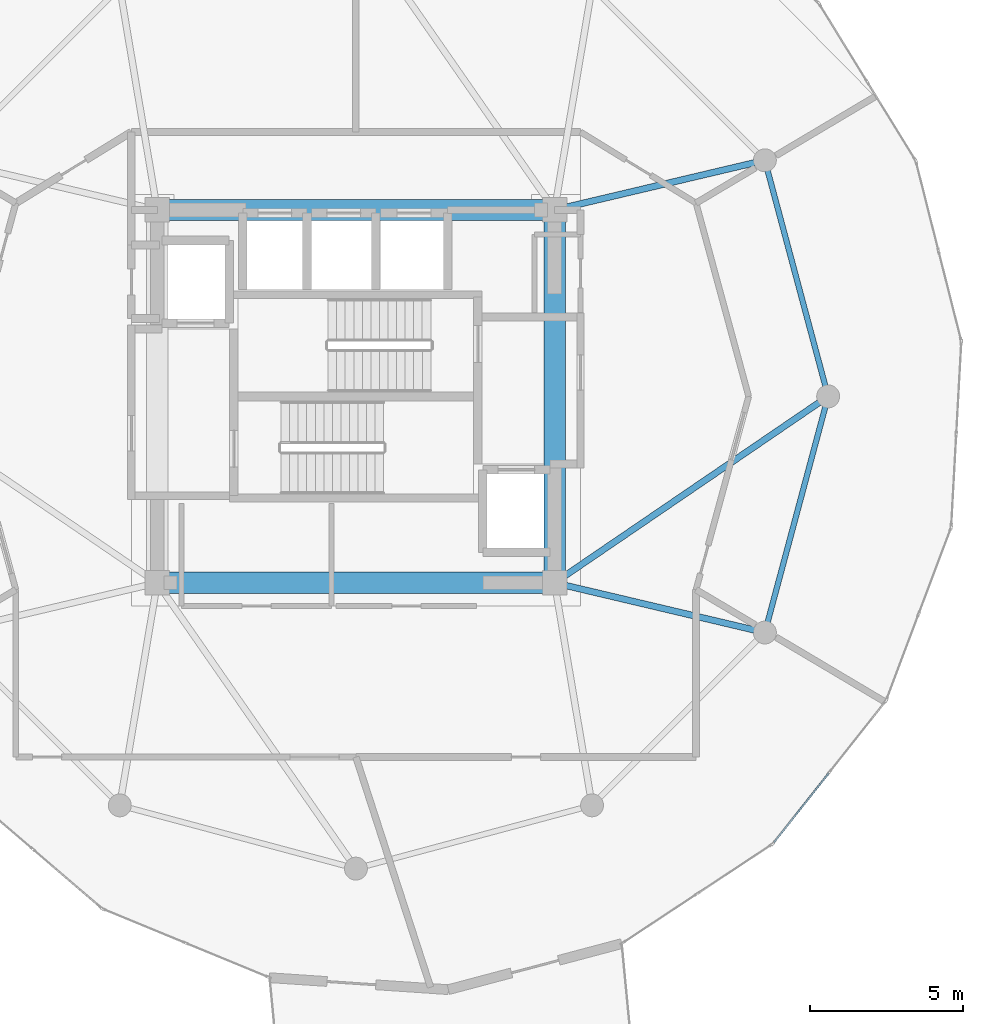
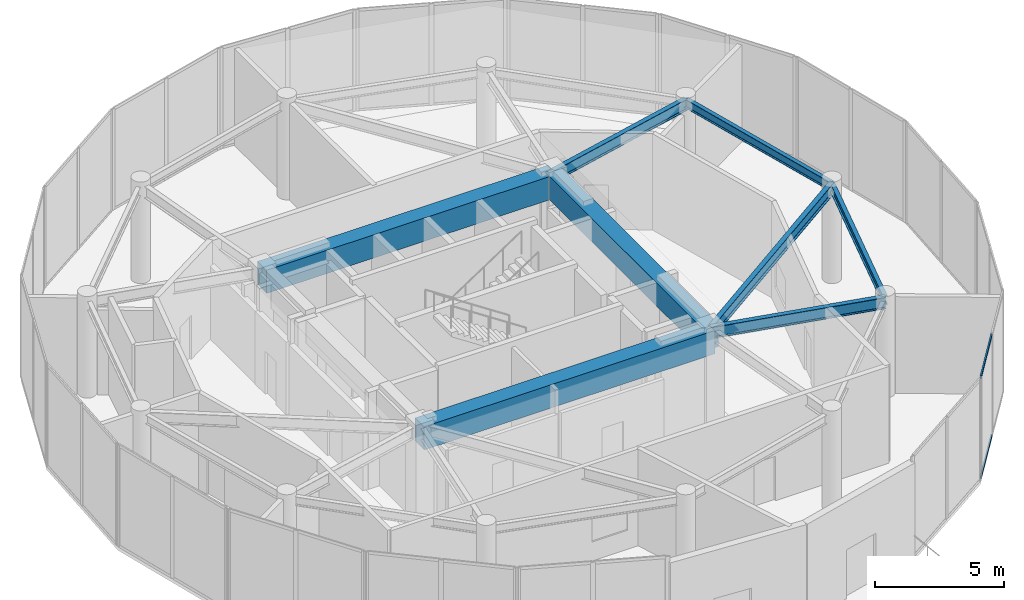
# One storey, part 8 of 21: 8 beams, 2 members, 1 element without a shape of its own.
"""IFC4 building model written with IfcOpenShell, lengths in metres."""

import ifcopenshell
import ifcopenshell.guid

model = None  # the IFC model being written
_history = None  # IfcOwnerHistory: only IFC2X3 demands one
_inside = {}  # id of a spatial element -> (the spatial element, [elements in it])
_under = {}  # id of a project, library or spatial element -> (it, [spatial elements below it])
_declared = {}  # id of a project -> (the project, [libraries it declares])
_typed = {}  # id of a type object -> (the type object, [elements of that type])
_made_of = {}  # id of a material, layer set ... -> (it, [elements and type objects made of it])


def new_model(schema):
    """Start an empty IFC model of exactly this schema.

    Asked for "IFC4X3", IfcOpenShell would pick the latest addendum, in which some entities
    have other attributes; the version numbers below select the first issue.
    IFC2X3 requires an IfcOwnerHistory on every rooted entity: one is made here for all.
    """
    global model, _history
    if schema == "IFC4X3":
        model = ifcopenshell.file(schema_version=(4, 3, 0, 0))
    else:
        model = ifcopenshell.file(schema=schema)
    _inside.clear()
    _under.clear()
    _declared.clear()
    _typed.clear()
    _made_of.clear()
    _history = None
    if model.schema == "IFC2X3":
        org = make("IfcOrganization", Name="unknown")
        user = make(
            "IfcPersonAndOrganization",
            ThePerson=make("IfcPerson", FamilyName="unknown"),
            TheOrganization=org,
        )
        app = make(
            "IfcApplication",
            ApplicationDeveloper=org,
            Version="unknown",
            ApplicationFullName="unknown",
            ApplicationIdentifier="unknown",
        )
        _history = make(
            "IfcOwnerHistory",
            OwningUser=user,
            OwningApplication=app,
            ChangeAction="ADDED",
            CreationDate=0,
        )
    return model


def make(cls, **values):
    """One entity of the class cls with the attributes given. An attribute that is None is left unset."""
    return model.create_entity(
        cls, **{name: value for name, value in values.items() if value is not None}
    )


def rooted(cls, **values):
    """An entity with a GlobalId (a new one), such as an element, a storey or a relation."""
    return make(cls, GlobalId=ifcopenshell.guid.new(), OwnerHistory=_history, **values)


def si_unit(unit_type, name, prefix=None):
    """IfcSIUnit, for example si_unit("LENGTHUNIT", "METRE", prefix="MILLI")."""
    return make("IfcSIUnit", UnitType=unit_type, Prefix=prefix, Name=name)


def assignment(units):
    """IfcUnitAssignment: the units of a project."""
    return None if units is None else make("IfcUnitAssignment", Units=units)


def point(xyz):
    """IfcCartesianPoint."""
    return None if xyz is None else make("IfcCartesianPoint", Coordinates=xyz)


def direction(xyz):
    """IfcDirection."""
    return None if xyz is None else make("IfcDirection", DirectionRatios=xyz)


def frame(location, z_axis=None, x_axis=None):
    """IfcAxis2Placement3D, a coordinate frame: its origin and axes. An axis left out is left unset."""
    return make(
        "IfcAxis2Placement3D",
        Location=point(location),
        Axis=direction(z_axis),
        RefDirection=direction(x_axis),
    )


def frame_2d(location, x_axis=None):
    """IfcAxis2Placement2D, a coordinate frame in the plane: its origin and x axis."""
    return make(
        "IfcAxis2Placement2D", Location=point(location), RefDirection=direction(x_axis)
    )


def origin():
    """The frame at (0, 0, 0) with its axes left unset."""
    return frame((0.0, 0.0, 0.0))


def origin_2d():
    """The frame at (0, 0) in the plane with its x axis left unset."""
    return frame_2d((0.0, 0.0))


def place(relative_to, where):
    """IfcLocalPlacement: puts the frame where relative to a parent placement (None: the world)."""
    return make(
        "IfcLocalPlacement", PlacementRelTo=relative_to, RelativePlacement=where
    )


def context(
    kind, dimensions, precision=None, world=None, true_north=None, identifier=None
):
    """IfcGeometricRepresentationContext, for example the 3D "Model" context."""
    return make(
        "IfcGeometricRepresentationContext",
        ContextIdentifier=identifier,
        ContextType=kind,
        CoordinateSpaceDimension=dimensions,
        Precision=precision,
        WorldCoordinateSystem=world,
        TrueNorth=true_north,
    )


def subcontext(parent, identifier, kind, view, scale=None):
    """IfcGeometricRepresentationSubContext, for example "Body" below "Model"."""
    return make(
        "IfcGeometricRepresentationSubContext",
        ContextIdentifier=identifier,
        ContextType=kind,
        ParentContext=parent,
        TargetScale=scale,
        TargetView=view,
    )


def project(units=None, contexts=None):
    """IfcProject with its units and contexts."""
    return rooted(
        "IfcProject",
        Name="project",
        RepresentationContexts=contexts,
        UnitsInContext=assignment(units),
    )


def spatial(cls, under=None, at=None, **own):
    """A site, building, storey or space (cls), placed at a placement, below another one or the project."""
    s = rooted(cls, ObjectPlacement=at, **own)
    if under is not None:
        _under.setdefault(under.id(), (under, []))[1].append(s)
    return s


def profile(cls, at=None, kind="AREA", **sizes):
    """A parametric profile (cls). Its sizes go by their IFC names, for example OverallWidth=200.0."""
    return make(cls, ProfileType=kind, Position=at, **sizes)


def rectangle(**sizes):
    """IfcRectangleProfileDef."""
    return profile("IfcRectangleProfileDef", **sizes)


def hollow_rectangle(**sizes):
    """IfcRectangleHollowProfileDef."""
    return profile("IfcRectangleHollowProfileDef", **sizes)


def i_section(**sizes):
    """IfcIShapeProfileDef."""
    return profile("IfcIShapeProfileDef", **sizes)


def extrude(swept, where, along, depth):
    """IfcExtrudedAreaSolid: the profile swept, set in the frame where, extruded along a direction by depth."""
    return make(
        "IfcExtrudedAreaSolid",
        SweptArea=swept,
        Position=where,
        ExtrudedDirection=direction(along),
        Depth=depth,
    )


def shape(context_of_items, identifier, shape_type, items):
    """IfcShapeRepresentation: the items that make up one representation, for example the "Body"."""
    return make(
        "IfcShapeRepresentation",
        ContextOfItems=context_of_items,
        RepresentationIdentifier=identifier,
        RepresentationType=shape_type,
        Items=items,
    )


def source(mapping_origin, context_of_items, identifier, shape_type, items):
    """IfcRepresentationMap: a shape defined once, which mapped items show again and again."""
    return make(
        "IfcRepresentationMap",
        MappingOrigin=mapping_origin,
        MappedRepresentation=shape(context_of_items, identifier, shape_type, items),
    )


def transform(
    local_origin,
    x_axis=None,
    y_axis=None,
    z_axis=None,
    scale=None,
    scale2=None,
    scale3=None,
    uniform=True,
):
    """IfcCartesianTransformationOperator3D, or its non-uniform kind. x_axis, y_axis, z_axis: its Axis1, 2, 3."""
    if uniform:
        return make(
            "IfcCartesianTransformationOperator3D",
            Axis1=direction(x_axis),
            Axis2=direction(y_axis),
            LocalOrigin=point(local_origin),
            Scale=scale,
            Axis3=direction(z_axis),
        )
    return make(
        "IfcCartesianTransformationOperator3DnonUniform",
        Axis1=direction(x_axis),
        Axis2=direction(y_axis),
        LocalOrigin=point(local_origin),
        Scale=scale,
        Axis3=direction(z_axis),
        Scale2=scale2,
        Scale3=scale3,
    )


def mapped(mapping_source, mapping_target):
    """IfcMappedItem: shows the shape of a source again, moved by a transform."""
    return make(
        "IfcMappedItem", MappingSource=mapping_source, MappingTarget=mapping_target
    )


def material(Name=None, Category=None):
    """IfcMaterial."""
    return make("IfcMaterial", Name=Name, Category=Category)


def layer(
    of_material, thickness, ventilated=None, Name=None, Category=None, Priority=None
):
    """IfcMaterialLayer: one layer of a wall or slab, of a material (None: an air gap)."""
    return make(
        "IfcMaterialLayer",
        Material=of_material,
        LayerThickness=thickness,
        IsVentilated=ventilated,
        Name=Name,
        Category=Category,
        Priority=Priority,
    )


def layer_set(layers, Name=None):
    """IfcMaterialLayerSet."""
    return make("IfcMaterialLayerSet", MaterialLayers=layers, LayerSetName=Name)


def material_profile(
    of_material, cross_section, Name=None, Category=None, Priority=None
):
    """IfcMaterialProfile: a cross section and its material."""
    return make(
        "IfcMaterialProfile",
        Name=Name,
        Material=of_material,
        Profile=cross_section,
        Priority=Priority,
        Category=Category,
    )


def profile_set(profiles, Name=None, composite=None):
    """IfcMaterialProfileSet."""
    return make(
        "IfcMaterialProfileSet",
        Name=Name,
        MaterialProfiles=profiles,
        CompositeProfile=composite,
    )


def made_of(thing, what):
    """Note that an element or type object is made of a material, layer set ...; save() writes the relation."""
    if what is not None:
        _made_of.setdefault(what.id(), (what, []))[1].append(thing)
    return thing


def type_object(cls, material=None, **own):
    """A type object (cls), such as IfcWallType, which elements share."""
    return made_of(rooted(cls, **own), material)


def element(
    cls,
    number,
    at=None,
    inside=None,
    cuts=None,
    type_object=None,
    material=None,
    context=None,
    identifier="Body",
    shape_type=None,
    held_by="IfcProductDefinitionShape",
    body=None,
    shapes=None,
    **own,
):
    """One element of the class cls, such as IfcWall. Its Tag is "e" and its number.

    at: its placement. inside: the storey or other place that contains it. cuts: it is an
    opening in that element (IfcRelVoidsElement). A single representation is given by context,
    identifier, shape_type and body (its items); several are given by shapes. held_by: the class
    of the entity that holds the representations. save() writes the other relations.
    """
    e = rooted(cls, Tag="e%d" % number, ObjectPlacement=at, **own)
    if body is not None:
        shapes = [shape(context, identifier, shape_type, body)]
    if shapes is not None:
        e.Representation = make(held_by, Representations=shapes)
    if inside is not None:
        _inside.setdefault(inside.id(), (inside, []))[1].append(e)
    if cuts is not None:
        rooted(
            "IfcRelVoidsElement", RelatingBuildingElement=cuts, RelatedOpeningElement=e
        )
    if type_object is not None:
        _typed.setdefault(type_object.id(), (type_object, []))[1].append(e)
    return made_of(e, material)


def aggregate(whole, parts):
    """IfcRelAggregates: a whole, such as a stair, and the parts it consists of."""
    return rooted("IfcRelAggregates", RelatingObject=whole, RelatedObjects=parts)


def save(model, path):
    """Write the relations noted so far, then the file.

    IfcRelAggregates (storeys below a building ...), IfcRelContainedInSpatialStructure (elements
    in a storey), IfcRelDefinesByType, IfcRelAssociatesMaterial and IfcRelDeclares: one each for
    every whole, place, type object, material and project.
    """
    for whole, parts in _under.values():
        aggregate(whole, parts)
    for where, things in _inside.values():
        rooted(
            "IfcRelContainedInSpatialStructure",
            RelatedElements=things,
            RelatingStructure=where,
        )
    for kind, things in _typed.values():
        rooted("IfcRelDefinesByType", RelatedObjects=things, RelatingType=kind)
    for what, things in _made_of.values():
        rooted("IfcRelAssociatesMaterial", RelatedObjects=things, RelatingMaterial=what)
    for by, libraries in _declared.values():
        rooted("IfcRelDeclares", RelatingContext=by, RelatedDefinitions=libraries)
    model.write(path)


model = new_model("IFC4")

# Units and contexts
model_context = context("Model", 3, precision=1e-05, world=origin(), true_north=direction((0.0, 1.0)))
body_context = subcontext(model_context, "Body", "Model", "MODEL_VIEW")
ifc_project = project(units=[si_unit("LENGTHUNIT", "METRE"), si_unit("AREAUNIT", "SQUARE_METRE"), si_unit("VOLUMEUNIT", "CUBIC_METRE"), si_unit("PLANEANGLEUNIT", "RADIAN"), si_unit("MASSUNIT", "GRAM", prefix="KILO")], contexts=[model_context])

# Site, building, storey
site_placement = place(None, origin())
site = spatial("IfcSite", under=ifc_project, at=site_placement, CompositionType="ELEMENT")
building_placement = place(site_placement, origin())
building = spatial("IfcBuilding", under=site, at=building_placement, Name="Solvirekh Grand Hotel", CompositionType="ELEMENT")
storey_placement = place(building_placement, frame((0.0, 0.0, 262.0)))
storey = spatial("IfcBuildingStorey", under=building, at=storey_placement, Name="L68", CompositionType="ELEMENT", Elevation=262.0)

# Beams
ifc_material_1 = material(Name="Concrete C60/75", Category="concrete")
ifc_material_profile_1 = material_profile(ifc_material_1, rectangle(XDim=0.699951171875, YDim=1.10009765625, at=origin_2d()), Name="RC BEAM 700X1100")
ifc_profile_set_1 = profile_set([ifc_material_profile_1], Name="Concrete C60/75")
beam_type_1 = type_object("IfcBeamType", Name="Beam_Core_RC1100", PredefinedType="BEAM", material=ifc_profile_set_1)
beam_1_placement = place(storey_placement, frame((-6.5, -6.10009765625, 4.02001953125), z_axis=(1.0, 0.0, 0.0), x_axis=(0.0, 1.0, 0.0)))
element("IfcBeam", 1, at=beam_1_placement, inside=storey, type_object=beam_type_1, Name="L68 core coupling ring beam 1", PredefinedType="BEAM", context=body_context, shape_type="SweptSolid", body=[
    extrude(rectangle(XDim=0.699951171875, YDim=1.10009765625, at=origin_2d()), origin(), (0.0, 0.0, 1.0), 13.0),
])
beam_2_placement = place(storey_placement, frame((6.5, -6.10009765625, 4.02001953125), z_axis=(0.0, 1.0, 0.0), x_axis=(-1.0, 0.0, 0.0)))
element("IfcBeam", 2, at=beam_2_placement, inside=storey, type_object=beam_type_1, Name="L68 core coupling ring beam 2", PredefinedType="BEAM", context=body_context, shape_type="SweptSolid", body=[
    extrude(rectangle(XDim=0.699951171875, YDim=1.10009765625, at=origin_2d()), origin(), (0.0, 0.0, 1.0), 12.2001953125),
])
beam_3_placement = place(storey_placement, frame((6.5, 6.10009765625, 4.02001953125), z_axis=(-1.0, 0.0, 0.0), x_axis=(0.0, -1.0, 0.0)))
element("IfcBeam", 3, at=beam_3_placement, inside=storey, type_object=beam_type_1, Name="L68 core coupling ring beam 3", PredefinedType="BEAM", context=body_context, shape_type="SweptSolid", body=[
    extrude(rectangle(XDim=0.699951171875, YDim=1.10009765625, at=origin_2d()), origin(), (0.0, 0.0, 1.0), 13.0),
])
ifc_material_2 = material(Name="Steel S355", Category="steel")
ifc_material_profile_2 = material_profile(ifc_material_2, i_section(OverallWidth=0.2119140625, OverallDepth=0.5439453125, WebThickness=0.011962890625, FlangeThickness=0.01904296875, FilletRadius=0.013916015625, at=origin_2d()), Name="W530X123")
ifc_profile_set_2 = profile_set([ifc_material_profile_2], Name="Steel S355")
beam_type_2 = type_object("IfcBeamType", Name="Beam_Radial_W530H", PredefinedType="BEAM", material=ifc_profile_set_2)
beam_4_placement = place(storey_placement, frame((6.5, -6.10009765625, 4.298095703125), z_axis=(0.826319370306, 0.563201827285, 0.0), x_axis=(-0.563201827285, 0.826319370306, 0.0)))
element("IfcBeam", 4, at=beam_4_placement, inside=storey, type_object=beam_type_2, Name="L68 radial floor beam R01", PredefinedType="BEAM", context=body_context, shape_type="SweptSolid", body=[
    extrude(i_section(OverallWidth=0.2119140625, OverallDepth=0.5439453125, WebThickness=0.011962890625, FlangeThickness=0.01904296875, FilletRadius=0.013916015625, at=origin_2d()), origin(), (0.0, 0.0, 1.0), 10.8310546875),
])
for number, where, z_axis, x_axis, name in (
    (5, (6.5, 6.10009765625, 4.298095703125), (0.973221147544, 0.229870828888, 0.0), (-0.229870828888, 0.973221147544, 0.0), "L68 radial floor beam R02"),
    (6, (6.5, -6.10009765625, 4.298095703125), (0.973221147544, -0.229870828888, 0.0), (0.229870828888, 0.973221147544, 0.0), "L68 radial floor beam R12"),
):
    element("IfcBeam", number, at=place(storey_placement, frame(where, z_axis=z_axis, x_axis=x_axis)), inside=storey, type_object=beam_type_2, Name=name, PredefinedType="BEAM", context=body_context, shape_type="SweptSolid", body=[
        extrude(i_section(OverallWidth=0.2119140625, OverallDepth=0.5439453125, WebThickness=0.011962890625, FlangeThickness=0.01904296875, FilletRadius=0.013916015625, at=origin_2d()), origin(), (0.0, 0.0, 1.0), 7.069091796875),
    ])
ifc_material_profile_3 = material_profile(ifc_material_2, i_section(OverallWidth=0.180908203125, OverallDepth=0.4169921875, WebThickness=0.010009765625, FlangeThickness=0.01611328125, FilletRadius=0.011962890625, at=origin_2d()), Name="W410X85")
ifc_profile_set_3 = profile_set([ifc_material_profile_3], Name="Steel S355")
beam_type_3 = type_object("IfcBeamType", Name="Spandrel_Ring_W410", PredefinedType="SPANDREL", material=ifc_profile_set_3)
for number, where, z_axis, x_axis, name in (
    (7, (15.449951171875, 0.0, 4.361083984375), (-0.258834757072, 0.965921616143, 0.0), (-0.965921616143, -0.258834757072, 0.0), "L68 perimeter spandrel beam 1"),
    (8, (13.3798828125, -7.72509765625, 4.361083984375), (0.258834757072, 0.965921616143, 0.0), (-0.965921616143, 0.258834757072, 0.0), "L68 perimeter spandrel beam 12"),
):
    element("IfcBeam", number, at=place(storey_placement, frame(where, z_axis=z_axis, x_axis=x_axis)), inside=storey, type_object=beam_type_3, Name=name, PredefinedType="SPANDREL", context=body_context, shape_type="SweptSolid", body=[
        extrude(i_section(OverallWidth=0.180908203125, OverallDepth=0.4169921875, WebThickness=0.010009765625, FlangeThickness=0.01611328125, FilletRadius=0.011962890625, at=origin_2d()), origin(), (0.0, 0.0, 1.0), 7.99755859375),
    ])

# Curtain wall, members
ifc_material_3 = material(Name="Anodized Bronze Aluminium 6063-T6", Category="aluminium")
ifc_layer = layer(ifc_material_3, 0.18994140625)
ifc_layer_set = layer_set([ifc_layer], Name="Anodized Bronze Aluminium 6063-T6")
curtain_wall_type = type_object("IfcCurtainWallType", Name="CW_Sys5_SkyLobbyPanoramaCW", PredefinedType="NOTDEFINED", material=ifc_layer_set)
curtain_wall_placement = place(storey_placement, origin())
curtain_wall = element("IfcCurtainWall", 9, at=curtain_wall_placement, inside=storey, type_object=curtain_wall_type, Name="L68 unitised bronze-glass curtain wall CW-L68-C03", PredefinedType="NOTDEFINED")
ifc_material_profile_4 = material_profile(ifc_material_3, hollow_rectangle(XDim=0.06005859375, YDim=0.135009765625, WallThickness=0.00390625, at=origin_2d()), Name="ALU RHS 135X60X4")
ifc_profile_set_4 = profile_set([ifc_material_profile_4], Name="Anodized Bronze Aluminium 6063-T6")
member_type = type_object("IfcMemberType", Name="CWTransom_Sys5", PredefinedType="USERDEFINED", material=ifc_profile_set_4)
shared_shape = source(origin(), body_context, "Body", "SweptSolid", [
    extrude(hollow_rectangle(XDim=0.06005859375, YDim=0.135009765625, WallThickness=0.00390625, at=origin_2d()), origin(), (0.0, 0.0, 1.0), 2.8876953125),
])
member_1_placement = place(storey_placement, frame((13.680419921875, -14.588134765625, 0.030029296875), z_axis=(0.620469044532, 0.784230938422, 0.0), x_axis=(-0.784230938422, 0.620469044532, 0.0)))
member_1 = element("IfcMember", 10, at=member_1_placement, type_object=member_type, Name="U05 transom 1.1", ObjectType="TRANSOM", PredefinedType="USERDEFINED", context=body_context, shape_type="MappedRepresentation", body=[
    mapped(shared_shape, transform((0.0, 0.0, 0.0), x_axis=(1.0, 0.0, 0.0), y_axis=(0.0, 1.0, 0.0), z_axis=(0.0, 0.0, 1.0), scale=1.0)),
])
member_2_placement = place(storey_placement, frame((13.680419921875, -14.588134765625, 4.77001953125), z_axis=(0.620469044532, 0.784230938422, 0.0), x_axis=(-0.784230938422, 0.620469044532, 0.0)))
member_2 = element("IfcMember", 11, at=member_2_placement, type_object=member_type, Name="U05 transom 1.2", ObjectType="TRANSOM", PredefinedType="USERDEFINED", context=body_context, shape_type="MappedRepresentation", body=[
    mapped(shared_shape, transform((0.0, 0.0, 0.0), x_axis=(1.0, 0.0, 0.0), y_axis=(0.0, 1.0, 0.0), z_axis=(0.0, 0.0, 1.0), scale=1.0)),
])
aggregate(curtain_wall, [member_1, member_2])

save(model, "model.ifc")
